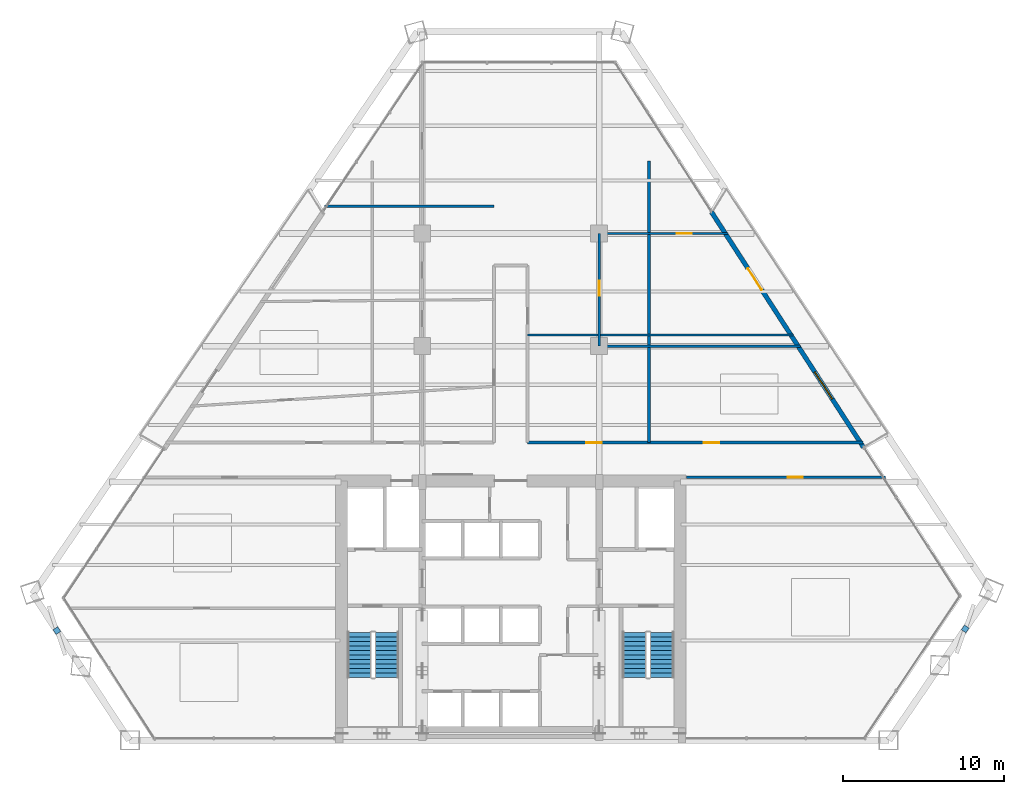
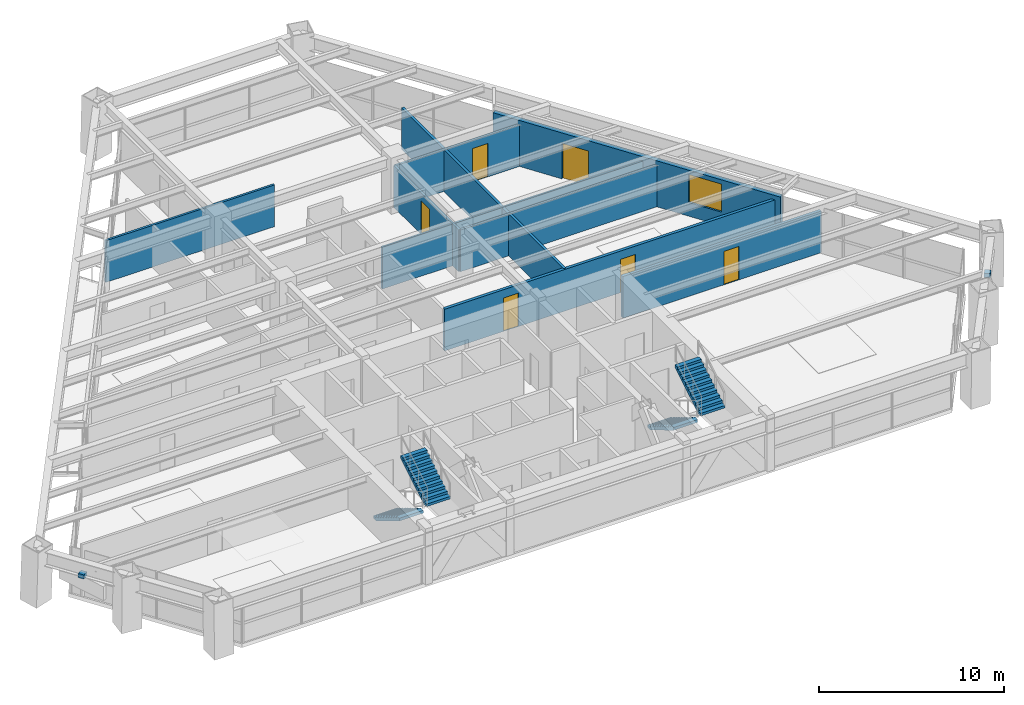
# One storey, part 12 of 14: 9 walls, 6 doors, 4 stair flights, 2 discrete accessories, 1 window, 7 openings, 2 elements without a shape of their own.
"""IFC4 building model written with IfcOpenShell, lengths in metres."""

from ifc_helpers import new_model, si_unit, direction, frame, frame_2d, origin, origin_2d, place, context, subcontext, project, spatial, polyline, rectangle, outline, extrude, source, transform, mapped, material, layer, layer_set, type_object, type_shapes, element, fill, aggregate, save


model = new_model("IFC4")

# Units and contexts
model_context = context("Model", 3, precision=1e-05, world=origin(), true_north=direction((0.0, 1.0)))
body_context = subcontext(model_context, "Body", "Model", "MODEL_VIEW")
ifc_project = project(units=[si_unit("LENGTHUNIT", "METRE"), si_unit("AREAUNIT", "SQUARE_METRE"), si_unit("VOLUMEUNIT", "CUBIC_METRE"), si_unit("PLANEANGLEUNIT", "RADIAN"), si_unit("MASSUNIT", "GRAM", prefix="KILO")], contexts=[model_context])

# Site, building, storey
site_placement = place(None, origin())
site = spatial("IfcSite", under=ifc_project, at=site_placement, CompositionType="ELEMENT")
building_placement = place(site_placement, origin())
building = spatial("IfcBuilding", under=site, at=building_placement, Name="Varnakhor Terracotta Tower", CompositionType="ELEMENT")
storey_placement = place(building_placement, frame((0.0, 0.0, 98.800048828125)))
storey = spatial("IfcBuildingStorey", under=building, at=storey_placement, Name="L24", CompositionType="ELEMENT", Elevation=98.800048828125)

# Wall, opening, door
ifc_material_1 = material(Name="Fire-Rated Gypsum Stud Partition", Category="gypsum")
ifc_layer_1 = layer(ifc_material_1, 0.18505859375, Name="Fire-Rated Gypsum Stud Partition")
ifc_layer_set_1 = layer_set([ifc_layer_1], Name="Fire-Rated Gypsum Stud Partition")
wall_type_1 = type_object("IfcWallType", Name="WAL-CORR-185", PredefinedType="PARTITIONING", material=ifc_layer_set_1)
wall_1_placement = place(storey_placement, frame((10.919921875, 16.35009765625, 0.0), z_axis=(0.0, 0.0, 1.0), x_axis=(1.0, 0.0, 0.0)))
wall_1 = element("IfcWall", 1, at=wall_1_placement, inside=storey, type_object=wall_type_1, Name="L24 South East Corridor Wall", PredefinedType="PARTITIONING", context=body_context, shape_type="SweptSolid", body=[
    extrude(rectangle(XDim=12.369384765625, YDim=0.18505859375, at=frame_2d((6.1845703125, 0.0))), origin(), (0.0, 0.0, 1.0), 2.7470703125),
])
opening_1_placement = place(wall_1_placement, frame((6.294189453125, 0.0, 0.0)))
opening_1 = element("IfcOpeningElement", 2, at=opening_1_placement, cuts=wall_1, Name="Opening DR-94", PredefinedType="OPENING", context=body_context, shape_type="SweptSolid", body=[
    extrude(rectangle(XDim=0.949951171875, YDim=2.199951171875, at=frame_2d((0.47509765625, 1.10009765625))), frame((0.0, 0.1025390625, 0.0), z_axis=(0.0, -1.0, 0.0), x_axis=(1.0, 0.0, 0.0)), (0.0, 0.0, 1.0), 0.205078125),
])
ifc_material_2 = material(Name="Acoustic Glazed-Vision Timber Office Door", Category="wood")
door_type_1 = type_object("IfcDoorType", Name="DR-OFF-950X2200", OperationType="NOTDEFINED", PredefinedType="DOOR", material=ifc_material_2)
shared_shape_1 = source(origin(), body_context, "Body", "SweptSolid", [
    extrude(rectangle(XDim=0.949951171875, YDim=2.199951171875, at=frame_2d((0.47509765625, 1.10009765625))), frame((0.0, 0.02490234375, 0.0), z_axis=(0.0, -1.0, 0.0), x_axis=(1.0, 0.0, 0.0)), (0.0, 0.0, 1.0), 0.050048828125),
])
type_shapes(door_type_1, [shared_shape_1])
door_1_placement = place(opening_1_placement, origin())
door_1 = element("IfcDoor", 3, at=door_1_placement, inside=storey, type_object=door_type_1, Name="L24 SE Suite Door", OperationType="SINGLE_SWING_RIGHT", OverallHeight=2.199951171875, OverallWidth=0.949951171875, PredefinedType="DOOR", context=body_context, shape_type="MappedRepresentation", body=[
    mapped(shared_shape_1, transform((0.0, 0.0, 0.0), scale=1.0)),
])
fill(opening_1, door_1)

# Wall, openings, doors
wall_2_placement = place(storey_placement, frame((1.050048828125, 18.5, 0.0), z_axis=(0.0, 0.0, 1.0), x_axis=(1.0, 0.0, 0.0)))
wall_2 = element("IfcWall", 4, at=wall_2_placement, inside=storey, type_object=wall_type_1, Name="L24 Corridor North East Wall", PredefinedType="PARTITIONING", context=body_context, shape_type="SweptSolid", body=[
    extrude(rectangle(XDim=20.850341796875, YDim=0.18505859375, at=frame_2d((10.42529296875, 0.0))), origin(), (0.0, 0.0, 1.0), 2.7470703125),
])
opening_2_placement = place(wall_2_placement, frame((10.958740234375, 0.0, 0.0)))
opening_2 = element("IfcOpeningElement", 5, at=opening_2_placement, cuts=wall_2, Name="Opening DR-94", PredefinedType="OPENING", context=body_context, shape_type="SweptSolid", body=[
    extrude(rectangle(XDim=0.949951171875, YDim=2.199951171875, at=frame_2d((0.47509765625, 1.10009765625))), frame((0.0, 0.1025390625, 0.0), z_axis=(0.0, -1.0, 0.0), x_axis=(1.0, 0.0, 0.0)), (0.0, 0.0, 1.0), 0.205078125),
])
opening_3_placement = place(wall_2_placement, frame((3.663818359375, 0.0, 0.0)))
opening_3 = element("IfcOpeningElement", 6, at=opening_3_placement, cuts=wall_2, Name="Opening DR-94", PredefinedType="OPENING", context=body_context, shape_type="SweptSolid", body=[
    extrude(rectangle(XDim=0.949951171875, YDim=2.199951171875, at=frame_2d((0.47509765625, 1.10009765625))), frame((0.0, 0.1025390625, 0.0), z_axis=(0.0, -1.0, 0.0), x_axis=(1.0, 0.0, 0.0)), (0.0, 0.0, 1.0), 0.205078125),
])
door_2_placement = place(opening_2_placement, origin())
door_2 = element("IfcDoor", 7, at=door_2_placement, inside=storey, type_object=door_type_1, Name="L24 East Workplace Door", OperationType="SINGLE_SWING_RIGHT", OverallHeight=2.199951171875, OverallWidth=0.949951171875, PredefinedType="DOOR", context=body_context, shape_type="MappedRepresentation", body=[
    mapped(shared_shape_1, transform((0.0, 0.0, 0.0), scale=1.0)),
])
fill(opening_2, door_2)
door_3_placement = place(opening_3_placement, origin())
door_3 = element("IfcDoor", 8, at=door_3_placement, inside=storey, type_object=door_type_1, Name="L24 Quantitative Office W1 B9 Door", OperationType="SINGLE_SWING_RIGHT", OverallHeight=2.199951171875, OverallWidth=0.949951171875, PredefinedType="DOOR", context=body_context, shape_type="MappedRepresentation", body=[
    mapped(shared_shape_1, transform((0.0, 0.0, 0.0), scale=1.0)),
])
fill(opening_3, door_3)

# Wall, openings, door, window
ifc_material_3 = material(Name="Extruded Architectural Terracotta Assembly", Category="masonry")
ifc_layer_2 = layer(ifc_material_3, 0.280029296875, Name="Extruded Architectural Terracotta Assembly")
ifc_layer_set_2 = layer_set([ifc_layer_2], Name="Extruded Architectural Terracotta Assembly")
wall_type_2 = type_object("IfcWallType", Name="WAL-EXT-TERRACOTTA-280", PredefinedType="SOLIDWALL", material=ifc_layer_set_2)
wall_3_placement = place(storey_placement, frame((12.472900390625, 32.853515625, 0.0), z_axis=(0.0, 0.0, 1.0), x_axis=(0.54263907962, -0.839965969114, 0.0)))
wall_3 = element("IfcWall", 9, at=wall_3_placement, inside=storey, type_object=wall_type_2, Name="L24 E Loggia Insulated Terracotta Wall", PredefinedType="SOLIDWALL", context=body_context, shape_type="SweptSolid", body=[
    extrude(rectangle(XDim=17.432373046875, YDim=0.280029296875, at=frame_2d((8.71630859375, 0.0))), origin(), (0.0, 0.0, 1.0), 3.030029296875),
])
opening_4_placement = place(wall_3_placement, frame((4.183837890625, 0.0, 0.0)))
opening_4 = element("IfcOpeningElement", 10, at=opening_4_placement, cuts=wall_3, Name="Opening DR-62", PredefinedType="OPENING", context=body_context, shape_type="SweptSolid", body=[
    extrude(rectangle(XDim=1.60009765625, YDim=2.35009765625, at=frame_2d((0.800048828125, 1.175048828125))), frame((0.0, 0.14990234375, 0.0), z_axis=(0.0, -1.0, 0.0), x_axis=(1.0, 0.0, 0.0)), (0.0, 0.0, 1.0), 0.300048828125),
])
opening_5_placement = place(wall_3_placement, frame((11.85400390625, 0.0, 0.89990234375)))
opening_5 = element("IfcOpeningElement", 11, at=opening_5_placement, cuts=wall_3, Name="Opening WN-26", PredefinedType="OPENING", context=body_context, shape_type="SweptSolid", body=[
    extrude(rectangle(XDim=2.0, YDim=1.85009765625, at=frame_2d((1.0, 0.925048828125))), frame((0.0, 0.14990234375, 0.0), z_axis=(0.0, -1.0, 0.0), x_axis=(1.0, 0.0, 0.0)), (0.0, 0.0, 1.0), 0.300048828125),
])
ifc_material_4 = material(Name="Thermally Broken Sliding Glass Loggia Door", Category="glass")
door_type_2 = type_object("IfcDoorType", Name="DR-EXT-LOGGIA-1600X2350", OperationType="NOTDEFINED", PredefinedType="DOOR", material=ifc_material_4)
shared_shape_2 = source(origin(), body_context, "Body", "SweptSolid", [
    extrude(rectangle(XDim=1.60009765625, YDim=2.35009765625, at=frame_2d((0.800048828125, 1.175048828125))), frame((0.0, 0.02490234375, 0.0), z_axis=(0.0, -1.0, 0.0), x_axis=(1.0, 0.0, 0.0)), (0.0, 0.0, 1.0), 0.050048828125),
])
type_shapes(door_type_2, [shared_shape_2])
door_4_placement = place(opening_4_placement, origin())
door_4 = element("IfcDoor", 12, at=door_4_placement, inside=storey, type_object=door_type_2, Name="L24 E Recessed Loggia Sliding Door", OperationType="SLIDING_TO_RIGHT", OverallHeight=2.35009765625, OverallWidth=1.60009765625, PredefinedType="DOOR", context=body_context, shape_type="MappedRepresentation", body=[
    mapped(shared_shape_2, transform((0.0, 0.0, 0.0), scale=1.0)),
])
fill(opening_4, door_4)
ifc_material_5 = material(Name="Solar-Control Low-E Insulated Glass Unit", Category="glass")
window_type = type_object("IfcWindowType", Name="WIN-OFF-2200X2100", PartitioningType="SINGLE_PANEL", PredefinedType="WINDOW", material=ifc_material_5)
shared_shape_3 = source(origin(), body_context, "Body", "SweptSolid", [
    extrude(rectangle(XDim=2.0, YDim=1.85009765625, at=frame_2d((1.0, 0.925048828125))), frame((0.0, 0.030029296875, 0.0), z_axis=(0.0, -1.0, 0.0), x_axis=(1.0, 0.0, 0.0)), (0.0, 0.0, 1.0), 0.06005859375),
])
type_shapes(window_type, [shared_shape_3])
window_placement = place(opening_5_placement, origin())
window = element("IfcWindow", 13, at=window_placement, inside=storey, type_object=window_type, Name="L24 E Facet Punched Window", OverallHeight=1.85009765625, OverallWidth=2.0, PartitioningType="SINGLE_PANEL", PredefinedType="WINDOW", context=body_context, shape_type="MappedRepresentation", body=[
    mapped(shared_shape_3, transform((0.0, 0.0, 0.0), scale=1.0)),
])
fill(opening_5, window)

# Wall
ifc_material_6 = material(Name="Acoustic Metal-Stud Partition", Category="gypsum")
ifc_layer_3 = layer(ifc_material_6, 0.139892578125, Name="Acoustic Metal-Stud Partition")
ifc_layer_set_3 = layer_set([ifc_layer_3], Name="Acoustic Metal-Stud Partition")
wall_type_3 = type_object("IfcWallType", Name="WAL-PART-140", PredefinedType="PARTITIONING", material=ifc_layer_set_3)
wall_4_placement = place(storey_placement, frame((5.5, 24.5, 0.0), z_axis=(0.0, 0.0, 1.0), x_axis=(1.0, 0.0, 0.0)))
element("IfcWall", 14, at=wall_4_placement, inside=storey, type_object=wall_type_3, Name="L24 East Y24.5 Column Wall", PredefinedType="PARTITIONING", context=body_context, shape_type="SweptSolid", body=[
    extrude(rectangle(XDim=12.524169921875, YDim=0.139892578125, at=frame_2d((6.26220703125, 0.0))), origin(), (0.0, 0.0, 1.0), 2.7470703125),
])

# Wall, opening, door
wall_5_placement = place(storey_placement, frame((5.5, 24.5, 0.0), z_axis=(0.0, 0.0, 1.0), x_axis=(0.0, 1.0, 0.0)))
wall_5 = element("IfcWall", 15, at=wall_5_placement, inside=storey, type_object=wall_type_3, Name="L24 East Mid Link Wall", PredefinedType="PARTITIONING", context=body_context, shape_type="SweptSolid", body=[
    extrude(rectangle(XDim=7.0, YDim=0.139892578125, at=frame_2d((3.5, 0.0))), origin(), (0.0, 0.0, 1.0), 2.7470703125),
])
opening_6_placement = place(wall_5_placement, frame((3.12255859375, 0.0, 0.0)))
opening_6 = element("IfcOpeningElement", 16, at=opening_6_placement, cuts=wall_5, Name="Opening DR-94", PredefinedType="OPENING", context=body_context, shape_type="SweptSolid", body=[
    extrude(rectangle(XDim=0.949951171875, YDim=2.199951171875, at=frame_2d((0.47509765625, 1.10009765625))), frame((0.0, 0.080078125, 0.0), z_axis=(0.0, -1.0, 0.0), x_axis=(1.0, 0.0, 0.0)), (0.0, 0.0, 1.0), 0.159912109375),
])
door_5_placement = place(opening_6_placement, origin())
door_5 = element("IfcDoor", 17, at=door_5_placement, inside=storey, type_object=door_type_1, Name="L24 Breakout Tea Room B14 Door", OperationType="SINGLE_SWING_RIGHT", OverallHeight=2.199951171875, OverallWidth=0.949951171875, PredefinedType="DOOR", context=body_context, shape_type="MappedRepresentation", body=[
    mapped(shared_shape_1, transform((0.0, 0.0, 0.0), scale=1.0)),
])
fill(opening_6, door_5)

wall_6_placement = place(storey_placement, frame((5.5, 31.5, 0.0), z_axis=(0.0, 0.0, 1.0), x_axis=(1.0, 0.0, 0.0)))
wall_6 = element("IfcWall", 18, at=wall_6_placement, inside=storey, type_object=wall_type_3, Name="L24 East Y31.5 Column Wall", PredefinedType="PARTITIONING", context=body_context, shape_type="SweptSolid", body=[
    extrude(rectangle(XDim=8.002197265625, YDim=0.139892578125, at=frame_2d((4.0009765625, 0.0))), origin(), (0.0, 0.0, 1.0), 2.7470703125),
])
opening_7_placement = place(wall_6_placement, frame((4.8154296875, 0.0, 0.0)))
opening_7 = element("IfcOpeningElement", 19, at=opening_7_placement, cuts=wall_6, Name="Opening DR-94", PredefinedType="OPENING", context=body_context, shape_type="SweptSolid", body=[
    extrude(rectangle(XDim=0.949951171875, YDim=2.199951171875, at=frame_2d((0.47509765625, 1.10009765625))), frame((0.0, 0.080078125, 0.0), z_axis=(0.0, -1.0, 0.0), x_axis=(1.0, 0.0, 0.0)), (0.0, 0.0, 1.0), 0.159912109375),
])
door_6_placement = place(opening_7_placement, origin())
door_6 = element("IfcDoor", 20, at=door_6_placement, inside=storey, type_object=door_type_1, Name="L24 Research Studio E2 Door", OperationType="SINGLE_SWING_LEFT", OverallHeight=2.199951171875, OverallWidth=0.949951171875, PredefinedType="DOOR", context=body_context, shape_type="MappedRepresentation", body=[
    mapped(shared_shape_1, transform((0.0, 0.0, 0.0), scale=1.0)),
])
fill(opening_7, door_6)

# Walls
wall_7_placement = place(storey_placement, frame((-11.56640625, 33.199951171875, 0.0), z_axis=(0.0, 0.0, 1.0), x_axis=(1.0, 0.0, 0.0)))
element("IfcWall", 21, at=wall_7_placement, inside=storey, type_object=wall_type_3, Name="L24 West Wing Cut 3", PredefinedType="PARTITIONING", context=body_context, shape_type="SweptSolid", body=[
    extrude(rectangle(XDim=10.516357421875, YDim=0.139892578125, at=frame_2d((5.25830078125, 0.0))), origin(), (0.0, 0.0, 1.0), 2.7470703125),
])
wall_8_placement = place(storey_placement, frame((1.050048828125, 25.199951171875, 0.0), z_axis=(0.0, 0.0, 1.0), x_axis=(1.0, 0.0, 0.0)))
element("IfcWall", 22, at=wall_8_placement, inside=storey, type_object=wall_type_3, Name="L24 East Wing Cut 1", PredefinedType="PARTITIONING", context=body_context, shape_type="SweptSolid", body=[
    extrude(rectangle(XDim=16.52197265625, YDim=0.139892578125, at=frame_2d((8.260986328125, 0.0))), origin(), (0.0, 0.0, 1.0), 2.7470703125),
])
ifc_material_7 = material(Name="Acoustic Fire-Rated Partition", Category="gypsum")
ifc_layer_4 = layer(ifc_material_7, 0.1650390625, Name="Acoustic Fire-Rated Partition")
ifc_layer_set_4 = layer_set([ifc_layer_4], Name="Acoustic Fire-Rated Partition")
wall_type_4 = type_object("IfcWallType", Name="WAL-TENANCY-165", PredefinedType="PARTITIONING", material=ifc_layer_set_4)
wall_9_placement = place(storey_placement, frame((8.60009765625, 18.5, 0.0), z_axis=(0.0, 0.0, 1.0), x_axis=(0.0, 1.0, 0.0)))
element("IfcWall", 23, at=wall_9_placement, inside=storey, type_object=wall_type_4, Name="L24 East Cellular Line", PredefinedType="PARTITIONING", context=body_context, shape_type="SweptSolid", body=[
    extrude(rectangle(XDim=17.5, YDim=0.1650390625, at=frame_2d((8.75, 0.0))), origin(), (0.0, 0.0, 1.0), 2.7470703125),
])

# Stair, stair flights
ifc_material_8 = material(Name="Concrete C40/50", Category="concrete")
stair_type = type_object("IfcStairType", Name="STR-CORE-OFFICE-1500", PredefinedType="HALF_TURN_STAIR", material=ifc_material_8)
stair_1_placement = place(storey_placement, origin())
stair_1 = element("IfcStair", 24, at=stair_1_placement, inside=storey, type_object=stair_type, Name="L24 Core Exit Stair ST-1", PredefinedType="HALF_TURN_STAIR")
stair_flight_type = type_object("IfcStairFlightType", Name="FLT-CORE-1500", PredefinedType="STRAIGHT", material=ifc_material_8)
stair_flight_1_placement = place(storey_placement, frame((-9.39990234375, 6.7099609375, 0.0), z_axis=(0.0, 0.0, 1.0), x_axis=(0.0, -1.0, 0.0)))
stair_flight_1 = element("IfcStairFlight", 25, at=stair_flight_1_placement, type_object=stair_flight_type, Name="ST-1 flight 1", NumberOfRisers=11, NumberOfTreads=10, PredefinedType="STRAIGHT", RiserHeight=0.168181818, TreadLength=0.28, context=body_context, shape_type="SweptSolid", body=[
    extrude(outline(polyline([(0.0, 0.0), (0.0, 0.168212890625), (0.280029296875, 0.168212890625), (0.280029296875, 0.33642578125), (0.56005859375, 0.33642578125), (0.56005859375, 0.504638671875), (0.840087890625, 0.504638671875), (0.840087890625, 0.672607421875), (1.1201171875, 0.672607421875), (1.1201171875, 0.8408203125), (1.39990234375, 0.8408203125), (1.39990234375, 1.009033203125), (1.679931640625, 1.009033203125), (1.679931640625, 1.17724609375), (1.9599609375, 1.17724609375), (1.9599609375, 1.345458984375), (2.239990234375, 1.345458984375), (2.239990234375, 1.513671875), (2.52001953125, 1.513671875), (2.52001953125, 1.681884765625), (2.800048828125, 1.681884765625), (2.800048828125, 1.85009765625), (2.800048828125, 1.495361328125), (0.310546875, 0.0), (0.0, 0.0)])), frame((0.0, 0.75, 0.0), z_axis=(0.0, -1.0, 0.0), x_axis=(1.0, 0.0, 0.0)), (0.0, 0.0, 1.0), 1.5),
])
stair_flight_2_placement = place(storey_placement, frame((-7.699951171875, 3.909912109375, 1.849853515625), z_axis=(0.0, 0.0, 1.0), x_axis=(0.0, 1.0, 0.0)))
stair_flight_2 = element("IfcStairFlight", 26, at=stair_flight_2_placement, type_object=stair_flight_type, Name="ST-1 flight 2", NumberOfRisers=11, NumberOfTreads=10, PredefinedType="STRAIGHT", RiserHeight=0.168181818, TreadLength=0.28, context=body_context, shape_type="SweptSolid", body=[
    extrude(outline(polyline([(0.0, 0.0), (0.0, 0.168212890625), (0.280029296875, 0.168212890625), (0.280029296875, 0.33642578125), (0.56005859375, 0.33642578125), (0.56005859375, 0.504638671875), (0.840087890625, 0.504638671875), (0.840087890625, 0.672607421875), (1.1201171875, 0.672607421875), (1.1201171875, 0.8408203125), (1.39990234375, 0.8408203125), (1.39990234375, 1.009033203125), (1.679931640625, 1.009033203125), (1.679931640625, 1.17724609375), (1.9599609375, 1.17724609375), (1.9599609375, 1.345458984375), (2.239990234375, 1.345458984375), (2.239990234375, 1.513671875), (2.52001953125, 1.513671875), (2.52001953125, 1.681884765625), (2.800048828125, 1.681884765625), (2.800048828125, 1.85009765625), (2.800048828125, 1.495361328125), (0.310546875, 0.0), (0.0, 0.0)])), frame((0.0, 0.75, 0.0), z_axis=(0.0, -1.0, 0.0), x_axis=(1.0, 0.0, 0.0)), (0.0, 0.0, 1.0), 1.5),
])
aggregate(stair_1, [stair_flight_1, stair_flight_2])

stair_2_placement = place(storey_placement, origin())
stair_2 = element("IfcStair", 27, at=stair_2_placement, inside=storey, type_object=stair_type, Name="L24 Core Exit Stair ST-2", PredefinedType="HALF_TURN_STAIR")
stair_flight_3_placement = place(storey_placement, frame((7.699951171875, 6.7099609375, 0.0), z_axis=(0.0, 0.0, 1.0), x_axis=(0.0, -1.0, 0.0)))
stair_flight_3 = element("IfcStairFlight", 28, at=stair_flight_3_placement, type_object=stair_flight_type, Name="ST-2 flight 1", NumberOfRisers=11, NumberOfTreads=10, PredefinedType="STRAIGHT", RiserHeight=0.168181818, TreadLength=0.28, context=body_context, shape_type="SweptSolid", body=[
    extrude(outline(polyline([(0.0, 0.0), (0.0, 0.168212890625), (0.280029296875, 0.168212890625), (0.280029296875, 0.33642578125), (0.56005859375, 0.33642578125), (0.56005859375, 0.504638671875), (0.840087890625, 0.504638671875), (0.840087890625, 0.672607421875), (1.1201171875, 0.672607421875), (1.1201171875, 0.8408203125), (1.39990234375, 0.8408203125), (1.39990234375, 1.009033203125), (1.679931640625, 1.009033203125), (1.679931640625, 1.17724609375), (1.9599609375, 1.17724609375), (1.9599609375, 1.345458984375), (2.239990234375, 1.345458984375), (2.239990234375, 1.513671875), (2.52001953125, 1.513671875), (2.52001953125, 1.681884765625), (2.800048828125, 1.681884765625), (2.800048828125, 1.85009765625), (2.800048828125, 1.495361328125), (0.310546875, 0.0), (0.0, 0.0)])), frame((0.0, 0.75, 0.0), z_axis=(0.0, -1.0, 0.0), x_axis=(1.0, 0.0, 0.0)), (0.0, 0.0, 1.0), 1.5),
])
stair_flight_4_placement = place(storey_placement, frame((9.39990234375, 3.909912109375, 1.849853515625), z_axis=(0.0, 0.0, 1.0), x_axis=(0.0, 1.0, 0.0)))
stair_flight_4 = element("IfcStairFlight", 29, at=stair_flight_4_placement, type_object=stair_flight_type, Name="ST-2 flight 2", NumberOfRisers=11, NumberOfTreads=10, PredefinedType="STRAIGHT", RiserHeight=0.168181818, TreadLength=0.28, context=body_context, shape_type="SweptSolid", body=[
    extrude(outline(polyline([(0.0, 0.0), (0.0, 0.168212890625), (0.280029296875, 0.168212890625), (0.280029296875, 0.33642578125), (0.56005859375, 0.33642578125), (0.56005859375, 0.504638671875), (0.840087890625, 0.504638671875), (0.840087890625, 0.672607421875), (1.1201171875, 0.672607421875), (1.1201171875, 0.8408203125), (1.39990234375, 0.8408203125), (1.39990234375, 1.009033203125), (1.679931640625, 1.009033203125), (1.679931640625, 1.17724609375), (1.9599609375, 1.17724609375), (1.9599609375, 1.345458984375), (2.239990234375, 1.345458984375), (2.239990234375, 1.513671875), (2.52001953125, 1.513671875), (2.52001953125, 1.681884765625), (2.800048828125, 1.681884765625), (2.800048828125, 1.85009765625), (2.800048828125, 1.495361328125), (0.310546875, 0.0), (0.0, 0.0)])), frame((0.0, 0.75, 0.0), z_axis=(0.0, -1.0, 0.0), x_axis=(1.0, 0.0, 0.0)), (0.0, 0.0, 1.0), 1.5),
])
aggregate(stair_2, [stair_flight_3, stair_flight_4])

# Discrete accessories
ifc_material_9 = material(Name="Stainless Steel Fixing Bracket", Category="steel")
discrete_accessory_type = type_object("IfcDiscreteAccessoryType", Name="BRACKET-TERRACOTTA-SCREEN", PredefinedType="BRACKET", material=ifc_material_9)
shared_shape_4 = source(origin(), body_context, "Body", "SweptSolid", [
    extrude(rectangle(XDim=0.35009765625, YDim=0.35009765625, at=origin_2d()), origin(), (0.0, 0.0, 1.0), 0.280029296875),
])
type_shapes(discrete_accessory_type, [shared_shape_4])
for number, where, z_axis, x_axis, name in (
    (30, (28.259033203125, 6.919921875, 2.39306640625), (0.0, 0.0, 1.0), (0.564621331137, 0.825350078709, 0.0), "L24 E Screen Fixing Bracket"),
    (31, (-28.209716796875, 6.81640625, 2.39306640625), (0.0, 0.0, 1.0), (0.550874091736, -0.83458836264, 0.0), "L24 W Screen Fixing Bracket"),
):
    element("IfcDiscreteAccessory", number, at=place(storey_placement, frame(where, z_axis=z_axis, x_axis=x_axis)), inside=storey, type_object=discrete_accessory_type, Name=name, PredefinedType="BRACKET", context=body_context, shape_type="MappedRepresentation", body=[
        mapped(shared_shape_4, transform((0.0, 0.0, 0.0), scale=1.0)),
    ])

save(model, "model.ifc")
